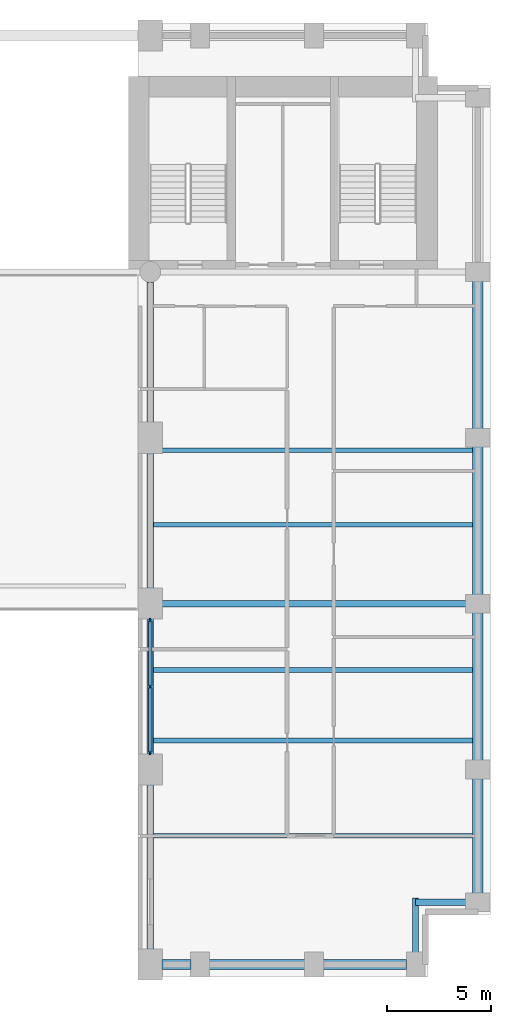
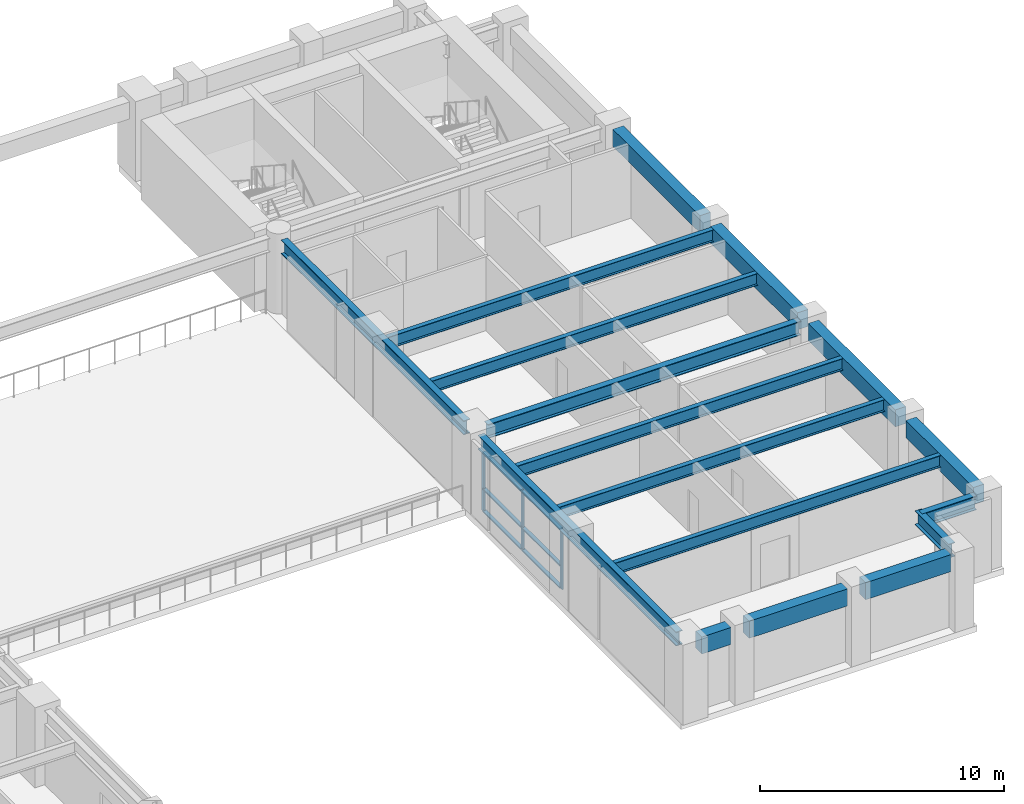
# One storey, part 3 of 12: 17 beams, 9 members, 1 element without a shape of its own.
"""IFC4 building model written with IfcOpenShell, lengths in metres."""

import ifcopenshell
import ifcopenshell.guid

model = None  # the IFC model being written
_history = None  # IfcOwnerHistory: only IFC2X3 demands one
_inside = {}  # id of a spatial element -> (the spatial element, [elements in it])
_under = {}  # id of a project, library or spatial element -> (it, [spatial elements below it])
_declared = {}  # id of a project -> (the project, [libraries it declares])
_typed = {}  # id of a type object -> (the type object, [elements of that type])
_made_of = {}  # id of a material, layer set ... -> (it, [elements and type objects made of it])


def new_model(schema):
    """Start an empty IFC model of exactly this schema.

    Asked for "IFC4X3", IfcOpenShell would pick the latest addendum, in which some entities
    have other attributes; the version numbers below select the first issue.
    IFC2X3 requires an IfcOwnerHistory on every rooted entity: one is made here for all.
    """
    global model, _history
    if schema == "IFC4X3":
        model = ifcopenshell.file(schema_version=(4, 3, 0, 0))
    else:
        model = ifcopenshell.file(schema=schema)
    _inside.clear()
    _under.clear()
    _declared.clear()
    _typed.clear()
    _made_of.clear()
    _history = None
    if model.schema == "IFC2X3":
        org = make("IfcOrganization", Name="unknown")
        user = make(
            "IfcPersonAndOrganization",
            ThePerson=make("IfcPerson", FamilyName="unknown"),
            TheOrganization=org,
        )
        app = make(
            "IfcApplication",
            ApplicationDeveloper=org,
            Version="unknown",
            ApplicationFullName="unknown",
            ApplicationIdentifier="unknown",
        )
        _history = make(
            "IfcOwnerHistory",
            OwningUser=user,
            OwningApplication=app,
            ChangeAction="ADDED",
            CreationDate=0,
        )
    return model


def make(cls, **values):
    """One entity of the class cls with the attributes given. An attribute that is None is left unset."""
    return model.create_entity(
        cls, **{name: value for name, value in values.items() if value is not None}
    )


def rooted(cls, **values):
    """An entity with a GlobalId (a new one), such as an element, a storey or a relation."""
    return make(cls, GlobalId=ifcopenshell.guid.new(), OwnerHistory=_history, **values)


def si_unit(unit_type, name, prefix=None):
    """IfcSIUnit, for example si_unit("LENGTHUNIT", "METRE", prefix="MILLI")."""
    return make("IfcSIUnit", UnitType=unit_type, Prefix=prefix, Name=name)


def assignment(units):
    """IfcUnitAssignment: the units of a project."""
    return None if units is None else make("IfcUnitAssignment", Units=units)


def point(xyz):
    """IfcCartesianPoint."""
    return None if xyz is None else make("IfcCartesianPoint", Coordinates=xyz)


def direction(xyz):
    """IfcDirection."""
    return None if xyz is None else make("IfcDirection", DirectionRatios=xyz)


def frame(location, z_axis=None, x_axis=None):
    """IfcAxis2Placement3D, a coordinate frame: its origin and axes. An axis left out is left unset."""
    return make(
        "IfcAxis2Placement3D",
        Location=point(location),
        Axis=direction(z_axis),
        RefDirection=direction(x_axis),
    )


def frame_2d(location, x_axis=None):
    """IfcAxis2Placement2D, a coordinate frame in the plane: its origin and x axis."""
    return make(
        "IfcAxis2Placement2D", Location=point(location), RefDirection=direction(x_axis)
    )


def origin():
    """The frame at (0, 0, 0) with its axes left unset."""
    return frame((0.0, 0.0, 0.0))


def origin_2d():
    """The frame at (0, 0) in the plane with its x axis left unset."""
    return frame_2d((0.0, 0.0))


def place(relative_to, where):
    """IfcLocalPlacement: puts the frame where relative to a parent placement (None: the world)."""
    return make(
        "IfcLocalPlacement", PlacementRelTo=relative_to, RelativePlacement=where
    )


def context(
    kind, dimensions, precision=None, world=None, true_north=None, identifier=None
):
    """IfcGeometricRepresentationContext, for example the 3D "Model" context."""
    return make(
        "IfcGeometricRepresentationContext",
        ContextIdentifier=identifier,
        ContextType=kind,
        CoordinateSpaceDimension=dimensions,
        Precision=precision,
        WorldCoordinateSystem=world,
        TrueNorth=true_north,
    )


def subcontext(parent, identifier, kind, view, scale=None):
    """IfcGeometricRepresentationSubContext, for example "Body" below "Model"."""
    return make(
        "IfcGeometricRepresentationSubContext",
        ContextIdentifier=identifier,
        ContextType=kind,
        ParentContext=parent,
        TargetScale=scale,
        TargetView=view,
    )


def project(units=None, contexts=None):
    """IfcProject with its units and contexts."""
    return rooted(
        "IfcProject",
        Name="project",
        RepresentationContexts=contexts,
        UnitsInContext=assignment(units),
    )


def spatial(cls, under=None, at=None, **own):
    """A site, building, storey or space (cls), placed at a placement, below another one or the project."""
    s = rooted(cls, ObjectPlacement=at, **own)
    if under is not None:
        _under.setdefault(under.id(), (under, []))[1].append(s)
    return s


def profile(cls, at=None, kind="AREA", **sizes):
    """A parametric profile (cls). Its sizes go by their IFC names, for example OverallWidth=200.0."""
    return make(cls, ProfileType=kind, Position=at, **sizes)


def rectangle(**sizes):
    """IfcRectangleProfileDef."""
    return profile("IfcRectangleProfileDef", **sizes)


def i_section(**sizes):
    """IfcIShapeProfileDef."""
    return profile("IfcIShapeProfileDef", **sizes)


def extrude(swept, where, along, depth):
    """IfcExtrudedAreaSolid: the profile swept, set in the frame where, extruded along a direction by depth."""
    return make(
        "IfcExtrudedAreaSolid",
        SweptArea=swept,
        Position=where,
        ExtrudedDirection=direction(along),
        Depth=depth,
    )


def shape(context_of_items, identifier, shape_type, items):
    """IfcShapeRepresentation: the items that make up one representation, for example the "Body"."""
    return make(
        "IfcShapeRepresentation",
        ContextOfItems=context_of_items,
        RepresentationIdentifier=identifier,
        RepresentationType=shape_type,
        Items=items,
    )


def material(Name=None, Category=None):
    """IfcMaterial."""
    return make("IfcMaterial", Name=Name, Category=Category)


def layer(
    of_material, thickness, ventilated=None, Name=None, Category=None, Priority=None
):
    """IfcMaterialLayer: one layer of a wall or slab, of a material (None: an air gap)."""
    return make(
        "IfcMaterialLayer",
        Material=of_material,
        LayerThickness=thickness,
        IsVentilated=ventilated,
        Name=Name,
        Category=Category,
        Priority=Priority,
    )


def layer_set(layers, Name=None):
    """IfcMaterialLayerSet."""
    return make("IfcMaterialLayerSet", MaterialLayers=layers, LayerSetName=Name)


def material_profile(
    of_material, cross_section, Name=None, Category=None, Priority=None
):
    """IfcMaterialProfile: a cross section and its material."""
    return make(
        "IfcMaterialProfile",
        Name=Name,
        Material=of_material,
        Profile=cross_section,
        Priority=Priority,
        Category=Category,
    )


def profile_set(profiles, Name=None, composite=None):
    """IfcMaterialProfileSet."""
    return make(
        "IfcMaterialProfileSet",
        Name=Name,
        MaterialProfiles=profiles,
        CompositeProfile=composite,
    )


def made_of(thing, what):
    """Note that an element or type object is made of a material, layer set ...; save() writes the relation."""
    if what is not None:
        _made_of.setdefault(what.id(), (what, []))[1].append(thing)
    return thing


def type_object(cls, material=None, **own):
    """A type object (cls), such as IfcWallType, which elements share."""
    return made_of(rooted(cls, **own), material)


def element(
    cls,
    number,
    at=None,
    inside=None,
    cuts=None,
    type_object=None,
    material=None,
    context=None,
    identifier="Body",
    shape_type=None,
    held_by="IfcProductDefinitionShape",
    body=None,
    shapes=None,
    **own,
):
    """One element of the class cls, such as IfcWall. Its Tag is "e" and its number.

    at: its placement. inside: the storey or other place that contains it. cuts: it is an
    opening in that element (IfcRelVoidsElement). A single representation is given by context,
    identifier, shape_type and body (its items); several are given by shapes. held_by: the class
    of the entity that holds the representations. save() writes the other relations.
    """
    e = rooted(cls, Tag="e%d" % number, ObjectPlacement=at, **own)
    if body is not None:
        shapes = [shape(context, identifier, shape_type, body)]
    if shapes is not None:
        e.Representation = make(held_by, Representations=shapes)
    if inside is not None:
        _inside.setdefault(inside.id(), (inside, []))[1].append(e)
    if cuts is not None:
        rooted(
            "IfcRelVoidsElement", RelatingBuildingElement=cuts, RelatedOpeningElement=e
        )
    if type_object is not None:
        _typed.setdefault(type_object.id(), (type_object, []))[1].append(e)
    return made_of(e, material)


def aggregate(whole, parts):
    """IfcRelAggregates: a whole, such as a stair, and the parts it consists of."""
    return rooted("IfcRelAggregates", RelatingObject=whole, RelatedObjects=parts)


def save(model, path):
    """Write the relations noted so far, then the file.

    IfcRelAggregates (storeys below a building ...), IfcRelContainedInSpatialStructure (elements
    in a storey), IfcRelDefinesByType, IfcRelAssociatesMaterial and IfcRelDeclares: one each for
    every whole, place, type object, material and project.
    """
    for whole, parts in _under.values():
        aggregate(whole, parts)
    for where, things in _inside.values():
        rooted(
            "IfcRelContainedInSpatialStructure",
            RelatedElements=things,
            RelatingStructure=where,
        )
    for kind, things in _typed.values():
        rooted("IfcRelDefinesByType", RelatedObjects=things, RelatingType=kind)
    for what, things in _made_of.values():
        rooted("IfcRelAssociatesMaterial", RelatedObjects=things, RelatingMaterial=what)
    for by, libraries in _declared.values():
        rooted("IfcRelDeclares", RelatingContext=by, RelatedDefinitions=libraries)
    model.write(path)


model = new_model("IFC4")

# Units and contexts
model_context = context("Model", 3, precision=1e-05, world=origin(), true_north=direction((0.0, 1.0)))
body_context = subcontext(model_context, "Body", "Model", "MODEL_VIEW")
ifc_project = project(units=[si_unit("LENGTHUNIT", "METRE"), si_unit("AREAUNIT", "SQUARE_METRE"), si_unit("VOLUMEUNIT", "CUBIC_METRE"), si_unit("PLANEANGLEUNIT", "RADIAN"), si_unit("MASSUNIT", "GRAM", prefix="KILO")], contexts=[model_context])

# Site, building, storey
site_placement = place(None, origin())
site = spatial("IfcSite", under=ifc_project, at=site_placement, CompositionType="ELEMENT")
building_placement = place(site_placement, origin())
building = spatial("IfcBuilding", under=site, at=building_placement, Name="Sulina Concourse Tower", CompositionType="ELEMENT")
storey_placement = place(building_placement, frame((0.0, 0.0, 38.60009765625)))
storey = spatial("IfcBuildingStorey", under=building, at=storey_placement, Name="L09", CompositionType="ELEMENT", Elevation=38.60009765625)

# Beams
ifc_material_1 = material(Name="Steel S355", Category="steel")
ifc_material_profile_1 = material_profile(ifc_material_1, i_section(OverallWidth=0.219970703125, OverallDepth=0.60009765625, WebThickness=0.011962890625, FlangeThickness=0.01904296875, at=origin_2d()), Name="IPE 600")
ifc_profile_set_1 = profile_set([ifc_material_profile_1], Name="Steel S355")
beam_type_1 = type_object("IfcBeamType", Name="Composite Floor Joist IPE600", PredefinedType="JOIST", material=ifc_profile_set_1)
for number, where, z_axis, x_axis, name in (
    (1, (41.75, 6.800048828125, 3.39990234375), (1.0, 0.0, 0.0), (0.0, 1.0, 0.0), "FJ-J06-3-L09"),
    (2, (41.75, 11.39990234375, 3.39990234375), (1.0, 0.0, 0.0), (0.0, 1.0, 0.0), "FJ-J11-3-L09"),
    (3, (41.75, 14.800048828125, 3.39990234375), (1.0, 0.0, 0.0), (0.0, 1.0, 0.0), "FJ-J15-3-L09"),
    (4, (41.75, 21.800048828125, 3.39990234375), (1.0, 0.0, 0.0), (0.0, 1.0, 0.0), "FJ-J22-3-L09"),
    (5, (41.75, 25.39990234375, 3.39990234375), (1.0, 0.0, 0.0), (0.0, 1.0, 0.0), "FJ-J25-3-L09"),
):
    element("IfcBeam", number, at=place(storey_placement, frame(where, z_axis=z_axis, x_axis=x_axis)), inside=storey, type_object=beam_type_1, Name=name, PredefinedType="JOIST", context=body_context, shape_type="SweptSolid", body=[
        extrude(i_section(OverallWidth=0.219970703125, OverallDepth=0.60009765625, WebThickness=0.011962890625, FlangeThickness=0.01904296875, at=origin_2d()), origin(), (0.0, 0.0, 1.0), 15.39990234375),
    ])
ifc_material_2 = material(Name="Steel S355", Category="steel")
ifc_material_profile_2 = material_profile(ifc_material_2, i_section(OverallWidth=0.300048828125, OverallDepth=0.699951171875, WebThickness=0.01708984375, FlangeThickness=0.031982421875, at=origin_2d()), Name="HE 700 B")
ifc_profile_set_2 = profile_set([ifc_material_profile_2], Name="Steel S355")
beam_type_2 = type_object("IfcBeamType", Name="Floor Primary Girder Zone 1 HE700B", PredefinedType="BEAM", material=ifc_profile_set_2)
beam_1_placement = place(storey_placement, frame((54.39990234375, 3.60009765625, 3.349853515625), z_axis=(1.0, 0.0, 0.0), x_axis=(0.0, 1.0, 0.0)))
element("IfcBeam", 6, at=beam_1_placement, inside=storey, type_object=beam_type_2, Name="TIE-SE-L09", PredefinedType="BEAM", context=body_context, shape_type="SweptSolid", body=[
    extrude(i_section(OverallWidth=0.300048828125, OverallDepth=0.699951171875, WebThickness=0.01708984375, FlangeThickness=0.031982421875, at=origin_2d()), origin(), (0.0, 0.0, 1.0), 2.570068359375),
])
beam_2_placement = place(storey_placement, frame((54.39990234375, 1.030029296875, 3.349853515625), z_axis=(0.0, 1.0, 0.0), x_axis=(-1.0, 0.0, 0.0)))
element("IfcBeam", 7, at=beam_2_placement, inside=storey, type_object=beam_type_2, Name="TIE-SES-L09", PredefinedType="BEAM", context=body_context, shape_type="SweptSolid", body=[
    extrude(i_section(OverallWidth=0.300048828125, OverallDepth=0.699951171875, WebThickness=0.01708984375, FlangeThickness=0.031982421875, at=origin_2d()), origin(), (0.0, 0.0, 1.0), 2.77001953125),
])
beam_3_placement = place(storey_placement, frame((42.179931640625, 18.0, 3.349853515625), z_axis=(1.0, 0.0, 0.0), x_axis=(0.0, 1.0, 0.0)))
element("IfcBeam", 8, at=beam_3_placement, inside=storey, type_object=beam_type_2, Name="FG-EW3-L09", PredefinedType="BEAM", context=body_context, shape_type="SweptSolid", body=[
    extrude(i_section(OverallWidth=0.300048828125, OverallDepth=0.699951171875, WebThickness=0.01708984375, FlangeThickness=0.031982421875, at=origin_2d()), origin(), (0.0, 0.0, 1.0), 14.7900390625),
])
beam_4_placement = place(storey_placement, frame((41.60009765625, 1.179931640625, 3.349853515625), z_axis=(0.0, 1.0, 0.0), x_axis=(-1.0, 0.0, 0.0)))
element("IfcBeam", 9, at=beam_4_placement, inside=storey, type_object=beam_type_2, Name="FG-NSA-41-L09", PredefinedType="BEAM", context=body_context, shape_type="SweptSolid", body=[
    extrude(i_section(OverallWidth=0.300048828125, OverallDepth=0.699951171875, WebThickness=0.01708984375, FlangeThickness=0.031982421875, at=origin_2d()), origin(), (0.0, 0.0, 1.0), 16.239990234375),
])
beam_5_placement = place(storey_placement, frame((41.60009765625, 18.580078125, 3.349853515625), z_axis=(0.0, 1.0, 0.0), x_axis=(-1.0, 0.0, 0.0)))
element("IfcBeam", 10, at=beam_5_placement, inside=storey, type_object=beam_type_2, Name="FG-NSB-41-L09", PredefinedType="BEAM", context=body_context, shape_type="SweptSolid", body=[
    extrude(i_section(OverallWidth=0.300048828125, OverallDepth=0.699951171875, WebThickness=0.01708984375, FlangeThickness=0.031982421875, at=origin_2d()), origin(), (0.0, 0.0, 1.0), 14.93994140625),
])
ifc_material_3 = material(Name="Precast concrete C50/60", Category="concrete")
ifc_material_profile_3 = material_profile(ifc_material_3, rectangle(XDim=0.5, YDim=0.85009765625, at=origin_2d()), Name="RC 500x850")
ifc_profile_set_3 = profile_set([ifc_material_profile_3], Name="Precast concrete C50/60")
beam_type_3 = type_object("IfcBeamType", Name="Lower Precast Spandrel Edge Beam 500x850", PredefinedType="BEAM", material=ifc_profile_set_3)
beam_6_placement = place(storey_placement, frame((42.179931640625, 0.60009765625, 3.27490234375), z_axis=(1.0, 0.0, 0.0), x_axis=(0.0, 1.0, 0.0)))
element("IfcBeam", 11, at=beam_6_placement, inside=storey, type_object=beam_type_3, Name="SP-S5-L09", PredefinedType="BEAM", context=body_context, shape_type="SweptSolid", body=[
    extrude(rectangle(XDim=0.5, YDim=0.85009765625, at=origin_2d()), origin(), (0.0, 0.0, 1.0), 1.39013671875),
])
beam_7_placement = place(storey_placement, frame((44.429931640625, 0.60009765625, 3.27490234375), z_axis=(1.0, 0.0, 0.0), x_axis=(0.0, 1.0, 0.0)))
element("IfcBeam", 12, at=beam_7_placement, inside=storey, type_object=beam_type_3, Name="SP-S6-L09", PredefinedType="BEAM", context=body_context, shape_type="SweptSolid", body=[
    extrude(rectangle(XDim=0.5, YDim=0.85009765625, at=origin_2d()), origin(), (0.0, 0.0, 1.0), 4.64013671875),
])
beam_8_placement = place(storey_placement, frame((49.929931640625, 0.60009765625, 3.27490234375), z_axis=(1.0, 0.0, 0.0), x_axis=(0.0, 1.0, 0.0)))
element("IfcBeam", 13, at=beam_8_placement, inside=storey, type_object=beam_type_3, Name="SP-S7-L09", PredefinedType="BEAM", context=body_context, shape_type="SweptSolid", body=[
    extrude(rectangle(XDim=0.5, YDim=0.85009765625, at=origin_2d()), origin(), (0.0, 0.0, 1.0), 4.0400390625),
])
beam_9_placement = place(storey_placement, frame((57.39990234375, 4.030029296875, 3.27490234375), z_axis=(0.0, 1.0, 0.0), x_axis=(-1.0, 0.0, 0.0)))
element("IfcBeam", 14, at=beam_9_placement, inside=storey, type_object=beam_type_3, Name="SP-E1-L09", PredefinedType="BEAM", context=body_context, shape_type="SweptSolid", body=[
    extrude(rectangle(XDim=0.5, YDim=0.85009765625, at=origin_2d()), origin(), (0.0, 0.0, 1.0), 5.5400390625),
])
for number, where, z_axis, x_axis, name in (
    (15, (57.39990234375, 10.429931640625, 3.27490234375), (0.0, 1.0, 0.0), (-1.0, 0.0, 0.0), "SP-E2-L09"),
    (16, (57.39990234375, 18.429931640625, 3.27490234375), (0.0, 1.0, 0.0), (-1.0, 0.0, 0.0), "SP-E3-L09"),
    (17, (57.39990234375, 26.429931640625, 3.27490234375), (0.0, 1.0, 0.0), (-1.0, 0.0, 0.0), "SP-E4-L09"),
):
    element("IfcBeam", number, at=place(storey_placement, frame(where, z_axis=z_axis, x_axis=x_axis)), inside=storey, type_object=beam_type_3, Name=name, PredefinedType="BEAM", context=body_context, shape_type="SweptSolid", body=[
        extrude(rectangle(XDim=0.5, YDim=0.85009765625, at=origin_2d()), origin(), (0.0, 0.0, 1.0), 7.14013671875),
    ])

# Curtain wall, members
ifc_material_4 = material(Name="Anodised bronze aluminium", Category="aluminium")
ifc_layer = layer(ifc_material_4, 0.219970703125)
ifc_layer_set = layer_set([ifc_layer], Name="Anodised bronze aluminium")
curtain_wall_type = type_object("IfcCurtainWallType", Name="Lower Terraced Portal Curtain Wall System", PredefinedType="NOTDEFINED", material=ifc_layer_set)
curtain_wall_placement = place(storey_placement, origin())
curtain_wall = element("IfcCurtainWall", 18, at=curtain_wall_placement, inside=storey, type_object=curtain_wall_type, Name="L09 glazed curtain wall PE2", PredefinedType="NOTDEFINED")
ifc_material_5 = material(Name="Anodised bronze aluminium", Category="aluminium")
ifc_material_profile_4 = material_profile(ifc_material_5, rectangle(XDim=0.070068359375, YDim=0.199951171875, at=origin_2d()), Name="MUL 70x200")
ifc_profile_set_4 = profile_set([ifc_material_profile_4], Name="Anodised bronze aluminium")
member_type_1 = type_object("IfcMemberType", Name="Lower Terraced Portal Curtain Wall System Mullion 70x200", PredefinedType="MULLION", material=ifc_profile_set_4)
member_1_placement = place(storey_placement, frame((41.60009765625, 10.804931640625, 0.0), z_axis=(0.0, 0.0, 1.0), x_axis=(-1.0, 0.0, 0.0)))
member_1 = element("IfcMember", 19, at=member_1_placement, type_object=member_type_1, Name="CW-02 mullion 1", PredefinedType="MULLION", context=body_context, shape_type="SweptSolid", body=[
    extrude(rectangle(XDim=0.070068359375, YDim=0.199951171875, at=origin_2d()), origin(), (0.0, 0.0, 1.0), 3.0),
])
member_2_placement = place(storey_placement, frame((41.60009765625, 14.0, 0.0), z_axis=(0.0, 0.0, 1.0), x_axis=(-1.0, 0.0, 0.0)))
member_2 = element("IfcMember", 20, at=member_2_placement, type_object=member_type_1, Name="CW-02 mullion 2", PredefinedType="MULLION", context=body_context, shape_type="SweptSolid", body=[
    extrude(rectangle(XDim=0.070068359375, YDim=0.199951171875, at=origin_2d()), origin(), (0.0, 0.0, 1.0), 3.0),
])
member_3_placement = place(storey_placement, frame((41.60009765625, 17.195068359375, 0.0), z_axis=(0.0, 0.0, 1.0), x_axis=(-1.0, 0.0, 0.0)))
member_3 = element("IfcMember", 21, at=member_3_placement, type_object=member_type_1, Name="CW-02 mullion 3", PredefinedType="MULLION", context=body_context, shape_type="SweptSolid", body=[
    extrude(rectangle(XDim=0.070068359375, YDim=0.199951171875, at=origin_2d()), origin(), (0.0, 0.0, 1.0), 3.0),
])
ifc_material_6 = material(Name="Anodised bronze aluminium", Category="aluminium")
ifc_material_profile_5 = material_profile(ifc_material_6, rectangle(XDim=0.1650390625, YDim=0.070068359375, at=origin_2d()), Name="TRN 70x165")
ifc_profile_set_5 = profile_set([ifc_material_profile_5], Name="Anodised bronze aluminium")
member_type_2 = type_object("IfcMemberType", Name="Lower Terraced Portal Curtain Wall System Transom 70x165", PredefinedType="USERDEFINED", material=ifc_profile_set_5)
member_4_placement = place(storey_placement, frame((41.60009765625, 10.840087890625, 0.034912109375), z_axis=(0.0, 1.0, 0.0), x_axis=(-1.0, 0.0, 0.0)))
member_4 = element("IfcMember", 22, at=member_4_placement, type_object=member_type_2, Name="CW-02 transom 1.1", ObjectType="TRANSOM", PredefinedType="USERDEFINED", context=body_context, shape_type="SweptSolid", body=[
    extrude(rectangle(XDim=0.1650390625, YDim=0.070068359375, at=origin_2d()), origin(), (0.0, 0.0, 1.0), 3.125),
])
member_5_placement = place(storey_placement, frame((41.60009765625, 10.840087890625, 1.139892578125), z_axis=(0.0, 1.0, 0.0), x_axis=(-1.0, 0.0, 0.0)))
member_5 = element("IfcMember", 23, at=member_5_placement, type_object=member_type_2, Name="CW-02 transom 1.2", ObjectType="TRANSOM", PredefinedType="USERDEFINED", context=body_context, shape_type="SweptSolid", body=[
    extrude(rectangle(XDim=0.1650390625, YDim=0.070068359375, at=origin_2d()), origin(), (0.0, 0.0, 1.0), 3.125),
])
member_6_placement = place(storey_placement, frame((41.60009765625, 10.840087890625, 2.96484375), z_axis=(0.0, 1.0, 0.0), x_axis=(-1.0, 0.0, 0.0)))
member_6 = element("IfcMember", 24, at=member_6_placement, type_object=member_type_2, Name="CW-02 transom 1.3", ObjectType="TRANSOM", PredefinedType="USERDEFINED", context=body_context, shape_type="SweptSolid", body=[
    extrude(rectangle(XDim=0.1650390625, YDim=0.070068359375, at=origin_2d()), origin(), (0.0, 0.0, 1.0), 3.125),
])
member_7_placement = place(storey_placement, frame((41.60009765625, 14.034912109375, 0.034912109375), z_axis=(0.0, 1.0, 0.0), x_axis=(-1.0, 0.0, 0.0)))
member_7 = element("IfcMember", 25, at=member_7_placement, type_object=member_type_2, Name="CW-02 transom 2.1", ObjectType="TRANSOM", PredefinedType="USERDEFINED", context=body_context, shape_type="SweptSolid", body=[
    extrude(rectangle(XDim=0.1650390625, YDim=0.070068359375, at=origin_2d()), origin(), (0.0, 0.0, 1.0), 3.125),
])
member_8_placement = place(storey_placement, frame((41.60009765625, 14.034912109375, 1.139892578125), z_axis=(0.0, 1.0, 0.0), x_axis=(-1.0, 0.0, 0.0)))
member_8 = element("IfcMember", 26, at=member_8_placement, type_object=member_type_2, Name="CW-02 transom 2.2", ObjectType="TRANSOM", PredefinedType="USERDEFINED", context=body_context, shape_type="SweptSolid", body=[
    extrude(rectangle(XDim=0.1650390625, YDim=0.070068359375, at=origin_2d()), origin(), (0.0, 0.0, 1.0), 3.125),
])
member_9_placement = place(storey_placement, frame((41.60009765625, 14.034912109375, 2.96484375), z_axis=(0.0, 1.0, 0.0), x_axis=(-1.0, 0.0, 0.0)))
member_9 = element("IfcMember", 27, at=member_9_placement, type_object=member_type_2, Name="CW-02 transom 2.3", ObjectType="TRANSOM", PredefinedType="USERDEFINED", context=body_context, shape_type="SweptSolid", body=[
    extrude(rectangle(XDim=0.1650390625, YDim=0.070068359375, at=origin_2d()), origin(), (0.0, 0.0, 1.0), 3.125),
])
aggregate(curtain_wall, [member_1, member_2, member_3, member_4, member_5, member_6, member_7, member_8, member_9])

save(model, "model.ifc")
